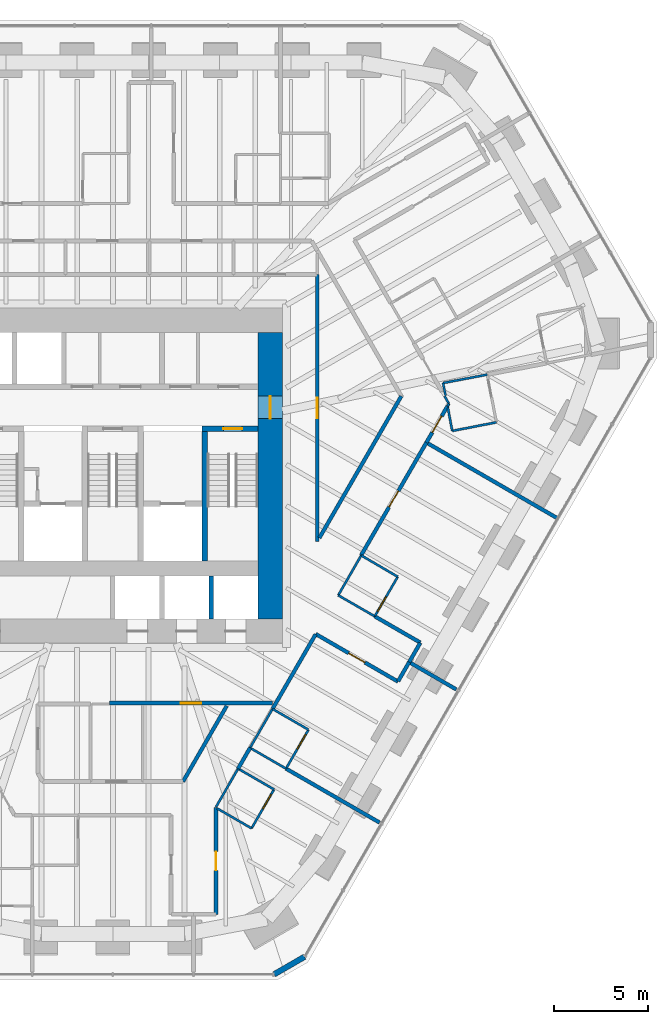
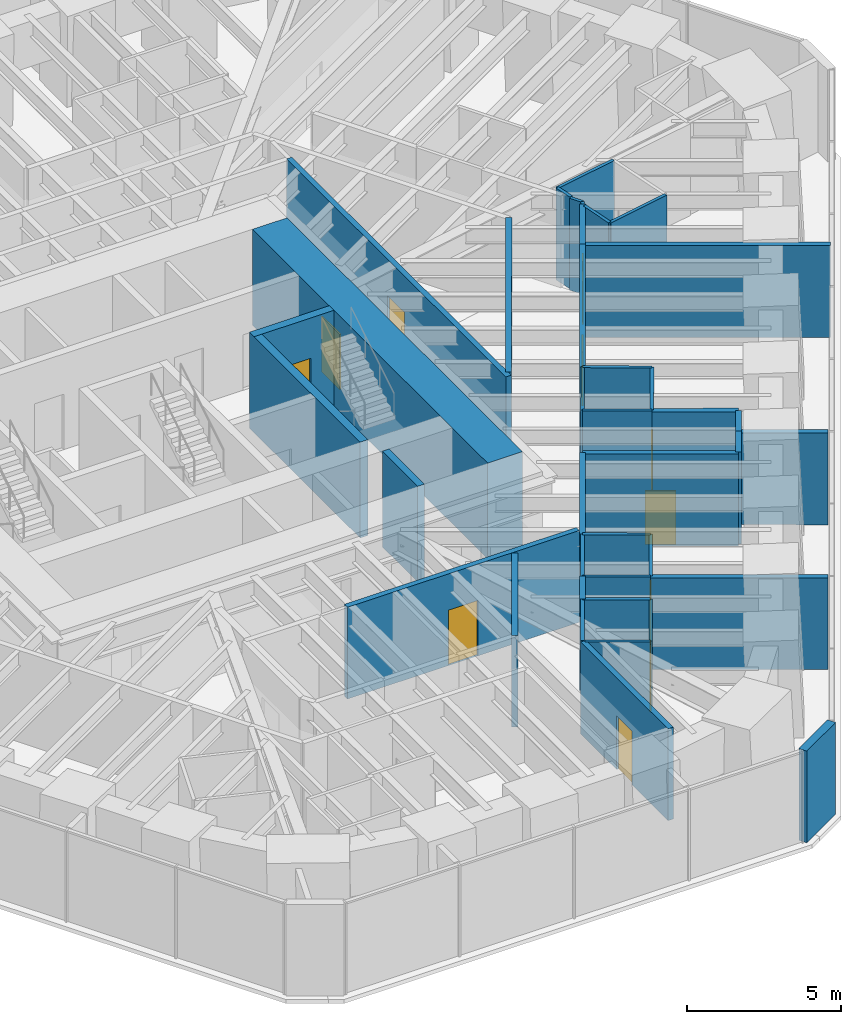
# One storey, part 13 of 17: 39 walls, 11 doors, 11 openings.
"""IFC4 building model written with IfcOpenShell, lengths in metres."""

from ifc_helpers import new_model, si_unit, direction, frame, frame_2d, origin, place, context, subcontext, project, spatial, rectangle, extrude, material, layer, layer_set, type_object, element, fill, save


model = new_model("IFC4")

# Units and contexts
model_context = context("Model", 3, precision=1e-05, world=origin(), true_north=direction((0.0, 1.0)))
body_context = subcontext(model_context, "Body", "Model", "MODEL_VIEW")
ifc_project = project(units=[si_unit("LENGTHUNIT", "METRE"), si_unit("AREAUNIT", "SQUARE_METRE"), si_unit("VOLUMEUNIT", "CUBIC_METRE"), si_unit("PLANEANGLEUNIT", "RADIAN"), si_unit("MASSUNIT", "GRAM", prefix="KILO")], contexts=[model_context])

# Site, building, storey
site_placement = place(None, origin())
site = spatial("IfcSite", under=ifc_project, at=site_placement, CompositionType="ELEMENT")
building_placement = place(site_placement, origin())
building = spatial("IfcBuilding", under=site, at=building_placement, Name="Sandreach Pilgrim Tower", CompositionType="ELEMENT")
storey_placement = place(building_placement, frame((0.0, 0.0, 161.39990234375)))
storey = spatial("IfcBuildingStorey", under=building, at=storey_placement, Name="L40", CompositionType="ELEMENT", Elevation=161.39990234375)

# Walls
ifc_material_1 = material(Name="Moisture-resistant gypsum board on steel studs", Category="steel")
ifc_layer_1 = layer(ifc_material_1, 0.1201171875)
ifc_layer_set_1 = layer_set([ifc_layer_1], Name="Bathroom partition 120")
wall_type_1 = type_object("IfcWallType", Name="Bathroom partition 120", PredefinedType="PARTITIONING", material=ifc_layer_set_1)
wall_1_placement = place(storey_placement, frame((5.510009765625, -19.25, 0.0), z_axis=(0.0, 0.0, 1.0), x_axis=(0.498837591974, 0.866695481028, 0.0)))
element("IfcWall", 1, at=wall_1_placement, inside=storey, type_object=wall_type_1, Name="Bathroom partition L40-111", PredefinedType="PARTITIONING", context=body_context, shape_type="SweptSolid", body=[
    extrude(rectangle(XDim=2.365478515625, YDim=0.1201171875, at=frame_2d((1.1826171875, 0.0))), origin(), (0.0, 0.0, 1.0), 3.64013671875),
])
wall_2_placement = place(storey_placement, frame((5.566162109375, -19.322509765625, 0.0), z_axis=(0.0, 0.0, 1.0), x_axis=(0.865436746432, -0.501018201192, 0.0)))
element("IfcWall", 2, at=wall_2_placement, inside=storey, type_object=wall_type_1, Name="Bathroom partition L40-112", PredefinedType="PARTITIONING", context=body_context, shape_type="SweptSolid", body=[
    extrude(rectangle(XDim=2.13037109375, YDim=0.1201171875, at=frame_2d((1.065185546875, 0.0))), origin(), (0.0, 0.0, 1.0), 3.64013671875),
])
wall_3_placement = place(storey_placement, frame((7.330078125, -16.090087890625, 0.0), z_axis=(0.0, 0.0, 1.0), x_axis=(0.499693115345, 0.866202511239, 0.0)))
element("IfcWall", 3, at=wall_3_placement, inside=storey, type_object=wall_type_1, Name="Bathroom partition L40-120", PredefinedType="PARTITIONING", context=body_context, shape_type="SweptSolid", body=[
    extrude(rectangle(XDim=2.4013671875, YDim=0.1201171875, at=frame_2d((1.20068359375, 0.0))), origin(), (0.0, 0.0, 1.0), 3.64013671875),
])
wall_4_placement = place(storey_placement, frame((7.330078125, -16.090087890625, 0.0), z_axis=(0.0, 0.0, 1.0), x_axis=(0.86575271903, -0.500472006703, 0.0)))
element("IfcWall", 4, at=wall_4_placement, inside=storey, type_object=wall_type_1, Name="Bathroom partition L40-121", PredefinedType="PARTITIONING", context=body_context, shape_type="SweptSolid", body=[
    extrude(rectangle(XDim=2.217529296875, YDim=0.1201171875, at=frame_2d((1.10888671875, 0.0))), origin(), (0.0, 0.0, 1.0), 3.64013671875),
])

# Wall, opening, door
wall_5_placement = place(storey_placement, frame((7.409912109375, -20.389892578125, 0.0), z_axis=(0.0, 0.0, 1.0), x_axis=(0.499737123639, 0.866177122335, 0.0)))
wall_5 = element("IfcWall", 5, at=wall_5_placement, inside=storey, type_object=wall_type_1, Name="Bathroom partition L40-122", PredefinedType="PARTITIONING", context=body_context, shape_type="SweptSolid", body=[
    extrude(rectangle(XDim=2.401123046875, YDim=0.1201171875, at=frame_2d((1.20068359375, 0.0))), origin(), (0.0, 0.0, 1.0), 3.64013671875),
])
opening_1_placement = place(wall_5_placement, frame((1.201416015625, 0.0, 0.0)))
opening_1 = element("IfcOpeningElement", 6, at=opening_1_placement, cuts=wall_5, Name="Opening D09-10B", PredefinedType="OPENING", context=body_context, shape_type="SweptSolid", body=[
    extrude(rectangle(XDim=0.89990234375, YDim=2.030029296875, at=frame_2d((0.449951171875, 1.01513671875))), frame((0.0, 0.06005859375, 0.0), z_axis=(0.0, -1.0, 0.0), x_axis=(1.0, 0.0, 0.0)), (0.0, 0.0, 1.0), 0.1201171875),
])
ifc_material_2 = material(Name="Timber door, steel frame", Category="steel")
door_type_1 = type_object("IfcDoorType", Name="Bathroom door", OperationType="SINGLE_SWING_LEFT", PredefinedType="DOOR", material=ifc_material_2)
door_1_placement = place(opening_1_placement, origin())
door_1 = element("IfcDoor", 7, at=door_1_placement, inside=storey, type_object=door_type_1, Name="Door 4010B", OperationType="SINGLE_SWING_RIGHT", OverallHeight=2.030029296875, OverallWidth=0.89990234375, PredefinedType="DOOR", context=body_context, shape_type="SweptSolid", body=[
    extrude(rectangle(XDim=0.89990234375, YDim=2.030029296875, at=frame_2d((0.449951171875, 1.01513671875))), frame((0.0, 0.02490234375, 0.0), z_axis=(0.0, -1.0, 0.0), x_axis=(1.0, 0.0, 0.0)), (0.0, 0.0, 1.0), 0.050048828125),
])
fill(opening_1, door_1)

# Wall
wall_6_placement = place(storey_placement, frame((8.610107421875, -18.31005859375, 0.0), z_axis=(0.0, 0.0, 1.0), x_axis=(-0.865732595383, 0.500506816428, 0.0)))
element("IfcWall", 8, at=wall_6_placement, inside=storey, type_object=wall_type_1, Name="Bathroom partition L40-125", PredefinedType="PARTITIONING", context=body_context, shape_type="SweptSolid", body=[
    extrude(rectangle(XDim=2.218017578125, YDim=0.1201171875, at=frame_2d((1.10888671875, 0.0))), origin(), (0.0, 0.0, 1.0), 3.64013671875),
])

# Wall, opening, door
wall_7_placement = place(storey_placement, frame((9.25, -17.199951171875, 0.0), z_axis=(0.0, 0.0, 1.0), x_axis=(0.499737123639, 0.866177122335, 0.0)))
wall_7 = element("IfcWall", 9, at=wall_7_placement, inside=storey, type_object=wall_type_1, Name="Bathroom partition L40-133", PredefinedType="PARTITIONING", context=body_context, shape_type="SweptSolid", body=[
    extrude(rectangle(XDim=2.401123046875, YDim=0.1201171875, at=frame_2d((1.20068359375, 0.0))), origin(), (0.0, 0.0, 1.0), 3.64013671875),
])
opening_2_placement = place(wall_7_placement, frame((1.201416015625, 0.0, 0.0)))
opening_2 = element("IfcOpeningElement", 10, at=opening_2_placement, cuts=wall_7, Name="Opening D09-09B", PredefinedType="OPENING", context=body_context, shape_type="SweptSolid", body=[
    extrude(rectangle(XDim=0.89990234375, YDim=2.030029296875, at=frame_2d((0.449951171875, 1.01513671875))), frame((0.0, 0.06005859375, 0.0), z_axis=(0.0, -1.0, 0.0), x_axis=(1.0, 0.0, 0.0)), (0.0, 0.0, 1.0), 0.1201171875),
])
door_2_placement = place(opening_2_placement, origin())
door_2 = element("IfcDoor", 11, at=door_2_placement, inside=storey, type_object=door_type_1, Name="Door 4009B", OperationType="SINGLE_SWING_RIGHT", OverallHeight=2.030029296875, OverallWidth=0.89990234375, PredefinedType="DOOR", context=body_context, shape_type="SweptSolid", body=[
    extrude(rectangle(XDim=0.89990234375, YDim=2.030029296875, at=frame_2d((0.449951171875, 1.01513671875))), frame((0.0, 0.02490234375, 0.0), z_axis=(0.0, -1.0, 0.0), x_axis=(1.0, 0.0, 0.0)), (0.0, 0.0, 1.0), 0.050048828125),
])
fill(opening_2, door_2)

# Walls
wall_8_placement = place(storey_placement, frame((10.449951171875, -15.1201171875, 0.0), z_axis=(0.0, 0.0, 1.0), x_axis=(-0.865705017107, 0.500554515868, 0.0)))
element("IfcWall", 12, at=wall_8_placement, inside=storey, type_object=wall_type_1, Name="Bathroom partition L40-135", PredefinedType="PARTITIONING", context=body_context, shape_type="SweptSolid", body=[
    extrude(rectangle(XDim=2.2177734375, YDim=0.1201171875, at=frame_2d((1.10888671875, 0.0))), origin(), (0.0, 0.0, 1.0), 3.64013671875),
])
wall_9_placement = place(storey_placement, frame((12.0400390625, -7.93994140625, 0.0), z_axis=(0.0, 0.0, 1.0), x_axis=(0.866366273901, -0.499409130319, 0.0)))
element("IfcWall", 13, at=wall_9_placement, inside=storey, type_object=wall_type_1, Name="Bathroom partition L40-145", PredefinedType="PARTITIONING", context=body_context, shape_type="SweptSolid", body=[
    extrude(rectangle(XDim=2.248779296875, YDim=0.1201171875, at=frame_2d((1.12451171875, 0.0))), origin(), (0.0, 0.0, 1.0), 3.64013671875),
])
wall_10_placement = place(storey_placement, frame((13.27001953125, -5.81005859375, 0.0), z_axis=(0.0, 0.0, 1.0), x_axis=(-0.500089055364, -0.86597398154, 0.0)))
element("IfcWall", 14, at=wall_10_placement, inside=storey, type_object=wall_type_1, Name="Bathroom partition L40-149", PredefinedType="PARTITIONING", context=body_context, shape_type="SweptSolid", body=[
    extrude(rectangle(XDim=2.45947265625, YDim=0.1201171875, at=frame_2d((1.229736328125, 0.0))), origin(), (0.0, 0.0, 1.0), 3.64013671875),
])

# Wall, opening, door
wall_11_placement = place(storey_placement, frame((13.989990234375, -9.06005859375, 0.0), z_axis=(0.0, 0.0, 1.0), x_axis=(0.503591322258, 0.863942000453, 0.0)))
wall_11 = element("IfcWall", 15, at=wall_11_placement, inside=storey, type_object=wall_type_1, Name="Bathroom partition L40-151", PredefinedType="PARTITIONING", context=body_context, shape_type="SweptSolid", body=[
    extrude(rectangle(XDim=2.4423828125, YDim=0.1201171875, at=frame_2d((1.22119140625, 0.0))), origin(), (0.0, 0.0, 1.0), 3.64013671875),
])
opening_3_placement = place(wall_11_placement, frame((0.300048828125, 0.0, 0.0)))
opening_3 = element("IfcOpeningElement", 16, at=opening_3_placement, cuts=wall_11, Name="Opening D09-08B", PredefinedType="OPENING", context=body_context, shape_type="SweptSolid", body=[
    extrude(rectangle(XDim=0.89990234375, YDim=2.030029296875, at=frame_2d((0.449951171875, 1.01513671875))), frame((0.0, 0.06005859375, 0.0), z_axis=(0.0, -1.0, 0.0), x_axis=(1.0, 0.0, 0.0)), (0.0, 0.0, 1.0), 0.1201171875),
])
door_3_placement = place(opening_3_placement, origin())
door_3 = element("IfcDoor", 17, at=door_3_placement, inside=storey, type_object=door_type_1, Name="Door 4008B", OperationType="SINGLE_SWING_LEFT", OverallHeight=2.030029296875, OverallWidth=0.89990234375, PredefinedType="DOOR", context=body_context, shape_type="SweptSolid", body=[
    extrude(rectangle(XDim=0.89990234375, YDim=2.030029296875, at=frame_2d((0.449951171875, 1.01513671875))), frame((0.0, 0.02490234375, 0.0), z_axis=(0.0, -1.0, 0.0), x_axis=(1.0, 0.0, 0.0)), (0.0, 0.0, 1.0), 0.050048828125),
])
fill(opening_3, door_3)

# Walls
wall_12_placement = place(storey_placement, frame((15.219970703125, -6.949951171875, 0.0), z_axis=(0.0, 0.0, 1.0), x_axis=(-0.863312009027, 0.50467056093, 0.0)))
element("IfcWall", 18, at=wall_12_placement, inside=storey, type_object=wall_type_1, Name="Bathroom partition L40-153", PredefinedType="PARTITIONING", context=body_context, shape_type="SweptSolid", body=[
    extrude(rectangle(XDim=2.2587890625, YDim=0.1201171875, at=frame_2d((1.12939453125, 0.0))), origin(), (0.0, 0.0, 1.0), 3.64013671875),
])
wall_13_placement = place(storey_placement, frame((17.639892578125, 3.39990234375, 0.0), z_axis=(0.0, 0.0, 1.0), x_axis=(0.982288725898, 0.187373581313, 0.0)))
element("IfcWall", 19, at=wall_13_placement, inside=storey, type_object=wall_type_1, Name="Bathroom partition L40-161", PredefinedType="PARTITIONING", context=body_context, shape_type="SweptSolid", body=[
    extrude(rectangle(XDim=2.402587890625, YDim=0.1201171875, at=frame_2d((1.201171875, 0.0))), origin(), (0.0, 0.0, 1.0), 3.64013671875),
])
wall_14_placement = place(storey_placement, frame((17.719970703125, 2.699951171875, 0.0), z_axis=(0.0, 0.0, 1.0), x_axis=(0.498530782172, -0.866871997025, 0.0)))
element("IfcWall", 20, at=wall_14_placement, inside=storey, type_object=wall_type_1, Name="Bathroom partition L40-162", PredefinedType="PARTITIONING", context=body_context, shape_type="SweptSolid", body=[
    extrude(rectangle(XDim=0.46142578125, YDim=0.1201171875, at=frame_2d((0.230712890625, 0.0))), origin(), (0.0, 0.0, 1.0), 3.64013671875),
])
wall_15_placement = place(storey_placement, frame((17.773681640625, 2.7314453125, 0.0), z_axis=(0.0, 0.0, 1.0), x_axis=(-0.196253874553, 0.980553117747, 0.0)))
element("IfcWall", 21, at=wall_15_placement, inside=storey, type_object=wall_type_1, Name="Bathroom partition L40-163", PredefinedType="PARTITIONING", context=body_context, shape_type="SweptSolid", body=[
    extrude(rectangle(XDim=0.681640625, YDim=0.1201171875, at=frame_2d((0.3408203125, 0.0))), origin(), (0.0, 0.0, 1.0), 3.64013671875),
])
wall_16_placement = place(storey_placement, frame((17.8798828125, 2.169921875, 0.0), z_axis=(0.0, 0.0, 1.0), x_axis=(0.474099823035, 0.880471099922, 0.0)))
element("IfcWall", 22, at=wall_16_placement, inside=storey, type_object=wall_type_1, Name="Bathroom partition L40-164", PredefinedType="PARTITIONING", context=body_context, shape_type="SweptSolid", body=[
    extrude(rectangle(XDim=0.147705078125, YDim=0.1201171875, at=frame_2d((0.07373046875, 0.0))), origin(), (0.0, 0.0, 1.0), 3.64013671875),
])
wall_17_placement = place(storey_placement, frame((17.896728515625, 2.08154296875, 0.0), z_axis=(0.0, 0.0, 1.0), x_axis=(0.184580266957, -0.982817442382, 0.0)))
element("IfcWall", 23, at=wall_17_placement, inside=storey, type_object=wall_type_1, Name="Bathroom partition L40-165", PredefinedType="PARTITIONING", context=body_context, shape_type="SweptSolid", body=[
    extrude(rectangle(XDim=1.26318359375, YDim=0.1201171875, at=frame_2d((0.631591796875, 0.0))), origin(), (0.0, 0.0, 1.0), 3.64013671875),
])
wall_18_placement = place(storey_placement, frame((18.1298828125, 0.840087890625, 0.0), z_axis=(0.0, 0.0, 1.0), x_axis=(0.981533392326, 0.191290877329, 0.0)))
element("IfcWall", 24, at=wall_18_placement, inside=storey, type_object=wall_type_1, Name="Bathroom partition L40-166", PredefinedType="PARTITIONING", context=body_context, shape_type="SweptSolid", body=[
    extrude(rectangle(XDim=2.404541015625, YDim=0.1201171875, at=frame_2d((1.2021484375, 0.0))), origin(), (0.0, 0.0, 1.0), 3.64013671875),
])
ifc_material_3 = material(Name="Concrete 10000 psi", Category="concrete")
ifc_layer_2 = layer(ifc_material_3, 0.300048828125)
ifc_layer_set_2 = layer_set([ifc_layer_2], Name="Core inner wall 300")
wall_type_2 = type_object("IfcWallType", Name="Core inner wall 300", PredefinedType="SHEAR", material=ifc_layer_set_2)
wall_19_placement = place(storey_placement, frame((4.89990234375, -6.10009765625, 0.0), z_axis=(0.0, 0.0, 1.0), x_axis=(0.0, 1.0, 0.0)))
element("IfcWall", 25, at=wall_19_placement, inside=storey, type_object=wall_type_2, Name="Core wall I3 L40", PredefinedType="SHEAR", context=body_context, shape_type="SweptSolid", body=[
    extrude(rectangle(XDim=7.2001953125, YDim=0.300048828125, at=frame_2d((3.60009765625, 0.0))), origin(), (0.0, 0.0, 1.0), 3.800048828125),
])

# Wall, opening, door
wall_20_placement = place(storey_placement, frame((4.75, 0.949951171875, 0.0), z_axis=(0.0, 0.0, 1.0), x_axis=(1.0, 0.0, 0.0)))
wall_20 = element("IfcWall", 26, at=wall_20_placement, inside=storey, type_object=wall_type_2, Name="Core wall SN2 L40", PredefinedType="SHEAR", context=body_context, shape_type="SweptSolid", body=[
    extrude(rectangle(XDim=3.0, YDim=0.300048828125, at=frame_2d((1.5, 0.0))), origin(), (0.0, 0.0, 1.0), 3.800048828125),
])
opening_4_placement = place(wall_20_placement, frame((1.14990234375, 0.0, 0.0)))
opening_4 = element("IfcOpeningElement", 27, at=opening_4_placement, cuts=wall_20, Name="Opening D10S-ST2", PredefinedType="OPENING", context=body_context, shape_type="SweptSolid", body=[
    extrude(rectangle(XDim=1.0, YDim=2.199951171875, at=frame_2d((0.5, 1.10009765625))), frame((0.0, 0.14990234375, 0.0), z_axis=(0.0, -1.0, 0.0), x_axis=(1.0, 0.0, 0.0)), (0.0, 0.0, 1.0), 0.300048828125),
])
ifc_material_4 = material(Name="Steel door and frame", Category="steel")
door_type_2 = type_object("IfcDoorType", Name="Stair door", OperationType="SINGLE_SWING_LEFT", PredefinedType="DOOR", material=ifc_material_4)
door_4_placement = place(opening_4_placement, origin())
door_4 = element("IfcDoor", 28, at=door_4_placement, inside=storey, type_object=door_type_2, Name="Stair door ST2 L40", OperationType="SINGLE_SWING_RIGHT", OverallHeight=2.199951171875, OverallWidth=1.0, PredefinedType="DOOR", context=body_context, shape_type="SweptSolid", body=[
    extrude(rectangle(XDim=1.0, YDim=2.199951171875, at=frame_2d((0.5, 1.10009765625))), frame((0.0, 0.02490234375, 0.0), z_axis=(0.0, -1.0, 0.0), x_axis=(1.0, 0.0, 0.0)), (0.0, 0.0, 1.0), 0.050048828125),
])
fill(opening_4, door_4)

ifc_material_5 = material(Name="Concrete 10000 psi", Category="concrete")
ifc_layer_3 = layer(ifc_material_5, 1.300048828125)
ifc_layer_set_3 = layer_set([ifc_layer_3], Name="Core wall 1300")
wall_type_3 = type_object("IfcWallType", Name="Core wall 1300", PredefinedType="SHEAR", material=ifc_layer_set_3)
wall_21_placement = place(storey_placement, frame((8.39990234375, -9.199951171875, 0.0), z_axis=(0.0, 0.0, 1.0), x_axis=(0.0, 1.0, 0.0)))
wall_21 = element("IfcWall", 29, at=wall_21_placement, inside=storey, type_object=wall_type_3, Name="Core wall E L40", PredefinedType="SHEAR", context=body_context, shape_type="SweptSolid", body=[
    extrude(rectangle(XDim=15.300048828125, YDim=1.300048828125, at=frame_2d((7.64990234375, 0.0))), origin(), (0.0, 0.0, 1.0), 3.800048828125),
])
opening_5_placement = place(wall_21_placement, frame((10.699951171875, 0.0, 0.0)))
opening_5 = element("IfcOpeningElement", 30, at=opening_5_placement, cuts=wall_21, Name="Opening D12F-E", PredefinedType="OPENING", context=body_context, shape_type="SweptSolid", body=[
    extrude(rectangle(XDim=1.199951171875, YDim=2.199951171875, at=frame_2d((0.60009765625, 1.10009765625))), frame((0.0, 0.64990234375, 0.0), z_axis=(0.0, -1.0, 0.0), x_axis=(1.0, 0.0, 0.0)), (0.0, 0.0, 1.0), 1.300048828125),
])
ifc_material_6 = material(Name="Steel door and frame", Category="steel")
door_type_3 = type_object("IfcDoorType", Name="Fire lobby door", OperationType="SINGLE_SWING_LEFT", PredefinedType="DOOR", material=ifc_material_6)
door_5_placement = place(opening_5_placement, origin())
door_5 = element("IfcDoor", 31, at=door_5_placement, inside=storey, type_object=door_type_3, Name="Fire service lobby door E L40", OperationType="SINGLE_SWING_RIGHT", OverallHeight=2.199951171875, OverallWidth=1.199951171875, PredefinedType="DOOR", context=body_context, shape_type="SweptSolid", body=[
    extrude(rectangle(XDim=1.199951171875, YDim=2.199951171875, at=frame_2d((0.60009765625, 1.10009765625))), frame((0.0, 0.02490234375, 0.0), z_axis=(0.0, -1.0, 0.0), x_axis=(1.0, 0.0, 0.0)), (0.0, 0.0, 1.0), 0.050048828125),
])
fill(opening_5, door_5)

ifc_material_7 = material(Name="Gypsum board on steel studs, two layers each side", Category="steel")
ifc_layer_4 = layer(ifc_material_7, 0.199951171875)
ifc_layer_set_4 = layer_set([ifc_layer_4], Name="Corridor wall 200")
wall_type_4 = type_object("IfcWallType", Name="Corridor wall 200", PredefinedType="PARTITIONING", material=ifc_layer_set_4)
wall_22_placement = place(storey_placement, frame((5.510009765625, -24.97998046875, 0.0), z_axis=(0.0, 0.0, 1.0), x_axis=(0.0, 1.0, 0.0)))
wall_22 = element("IfcWall", 32, at=wall_22_placement, inside=storey, type_object=wall_type_4, Name="Corridor wall L40-110", PredefinedType="PARTITIONING", context=body_context, shape_type="SweptSolid", body=[
    extrude(rectangle(XDim=5.68994140625, YDim=0.199951171875, at=frame_2d((2.844970703125, 0.0))), origin(), (0.0, 0.0, 1.0), 3.64013671875),
])
opening_6_placement = place(wall_22_placement, frame((2.344970703125, 0.0, 0.0)))
opening_6 = element("IfcOpeningElement", 33, at=opening_6_placement, cuts=wall_22, Name="Opening D10-10", PredefinedType="OPENING", context=body_context, shape_type="SweptSolid", body=[
    extrude(rectangle(XDim=1.0, YDim=2.1298828125, at=frame_2d((0.5, 1.06494140625))), frame((0.0, 0.10009765625, 0.0), z_axis=(0.0, -1.0, 0.0), x_axis=(1.0, 0.0, 0.0)), (0.0, 0.0, 1.0), 0.199951171875),
])
ifc_material_8 = material(Name="Steel door and frame", Category="steel")
door_type_4 = type_object("IfcDoorType", Name="Guest room entry door", OperationType="SINGLE_SWING_LEFT", PredefinedType="DOOR", material=ifc_material_8)
door_6_placement = place(opening_6_placement, origin())
door_6 = element("IfcDoor", 34, at=door_6_placement, inside=storey, type_object=door_type_4, Name="Door 4010", OperationType="SINGLE_SWING_LEFT", OverallHeight=2.1298828125, OverallWidth=1.0, PredefinedType="DOOR", context=body_context, shape_type="SweptSolid", body=[
    extrude(rectangle(XDim=1.0, YDim=2.1298828125, at=frame_2d((0.5, 1.06494140625))), frame((0.0, 0.02490234375, 0.0), z_axis=(0.0, -1.0, 0.0), x_axis=(1.0, 0.0, 0.0)), (0.0, 0.0, 1.0), 0.050048828125),
])
fill(opening_6, door_6)

# Walls
wall_23_placement = place(storey_placement, frame((6.08251953125, -13.849609375, 0.0), z_axis=(0.0, 0.0, 1.0), x_axis=(-0.499977643516, -0.866038310922, 0.0)))
element("IfcWall", 35, at=wall_23_placement, inside=storey, type_object=wall_type_4, Name="Corridor wall L40-113", PredefinedType="PARTITIONING", context=body_context, shape_type="SweptSolid", body=[
    extrude(rectangle(XDim=4.665283203125, YDim=0.199951171875, at=frame_2d((2.33251953125, 0.0))), origin(), (0.0, 0.0, 1.0), 3.64013671875),
])
wall_24_placement = place(storey_placement, frame((6.68994140625, -17.199951171875, 0.0), z_axis=(0.0, 0.0, 1.0), x_axis=(0.499623473928, 0.866242682105, 0.0)))
element("IfcWall", 36, at=wall_24_placement, inside=storey, type_object=wall_type_4, Name="Corridor wall L40-119", PredefinedType="PARTITIONING", context=body_context, shape_type="SweptSolid", body=[
    extrude(rectangle(XDim=1.28125, YDim=0.199951171875, at=frame_2d((0.640625, 0.0))), origin(), (0.0, 0.0, 1.0), 3.64013671875),
])
wall_25_placement = place(storey_placement, frame((8.530029296875, -14.010009765625, 0.0), z_axis=(0.0, 0.0, 1.0), x_axis=(0.500091179446, 0.865972754907, 0.0)))
element("IfcWall", 37, at=wall_25_placement, inside=storey, type_object=wall_type_4, Name="Corridor wall L40-123", PredefinedType="PARTITIONING", context=body_context, shape_type="SweptSolid", body=[
    extrude(rectangle(XDim=4.604248046875, YDim=0.199951171875, at=frame_2d((2.30224609375, 0.0))), origin(), (0.0, 0.0, 1.0), 3.64013671875),
])

# Wall, opening, door
wall_26_placement = place(storey_placement, frame((8.53369140625, -13.699951171875, 0.0), z_axis=(0.0, 0.0, 1.0), x_axis=(-1.0, 0.0, 0.0)))
wall_26 = element("IfcWall", 38, at=wall_26_placement, inside=storey, type_object=wall_type_4, Name="Corridor wall L40-124", PredefinedType="PARTITIONING", context=body_context, shape_type="SweptSolid", body=[
    extrude(rectangle(XDim=8.70361328125, YDim=0.199951171875, at=frame_2d((4.351806640625, 0.0))), origin(), (0.0, 0.0, 1.0), 3.64013671875),
])
opening_7_placement = place(wall_26_placement, frame((3.8017578125, 0.0, 0.0)))
opening_7 = element("IfcOpeningElement", 39, at=opening_7_placement, cuts=wall_26, Name="Opening D11H-S4", PredefinedType="OPENING", context=body_context, shape_type="SweptSolid", body=[
    extrude(rectangle(XDim=1.10009765625, YDim=2.199951171875, at=frame_2d((0.550048828125, 1.10009765625))), frame((0.0, 0.10009765625, 0.0), z_axis=(0.0, -1.0, 0.0), x_axis=(1.0, 0.0, 0.0)), (0.0, 0.0, 1.0), 0.199951171875),
])
ifc_material_9 = material(Name="Steel door and frame", Category="steel")
door_type_5 = type_object("IfcDoorType", Name="Back of house door", OperationType="SINGLE_SWING_LEFT", PredefinedType="DOOR", material=ifc_material_9)
door_7_placement = place(opening_7_placement, origin())
door_7 = element("IfcDoor", 40, at=door_7_placement, inside=storey, type_object=door_type_5, Name="Door 40S4", OperationType="SINGLE_SWING_LEFT", OverallHeight=2.199951171875, OverallWidth=1.10009765625, PredefinedType="DOOR", context=body_context, shape_type="SweptSolid", body=[
    extrude(rectangle(XDim=1.10009765625, YDim=2.199951171875, at=frame_2d((0.550048828125, 1.10009765625))), frame((0.0, 0.02490234375, 0.0), z_axis=(0.0, -1.0, 0.0), x_axis=(1.0, 0.0, 0.0)), (0.0, 0.0, 1.0), 0.050048828125),
])
fill(opening_7, door_7)

wall_27_placement = place(storey_placement, frame((10.840087890625, -10.010009765625, 0.0), z_axis=(0.0, 0.0, 1.0), x_axis=(0.865552592802, -0.500818039904, 0.0)))
wall_27 = element("IfcWall", 41, at=wall_27_placement, inside=storey, type_object=wall_type_4, Name="Corridor wall L40-137", PredefinedType="PARTITIONING", context=body_context, shape_type="SweptSolid", body=[
    extrude(rectangle(XDim=5.07177734375, YDim=0.199951171875, at=frame_2d((2.535888671875, 0.0))), origin(), (0.0, 0.0, 1.0), 3.64013671875),
])
opening_8_placement = place(wall_27_placement, frame((2.035888671875, 0.0, 0.0)))
opening_8 = element("IfcOpeningElement", 42, at=opening_8_placement, cuts=wall_27, Name="Opening D10-09", PredefinedType="OPENING", context=body_context, shape_type="SweptSolid", body=[
    extrude(rectangle(XDim=1.0, YDim=2.1298828125, at=frame_2d((0.5, 1.06494140625))), frame((0.0, 0.10009765625, 0.0), z_axis=(0.0, -1.0, 0.0), x_axis=(1.0, 0.0, 0.0)), (0.0, 0.0, 1.0), 0.199951171875),
])
door_8_placement = place(opening_8_placement, origin())
door_8 = element("IfcDoor", 43, at=door_8_placement, inside=storey, type_object=door_type_4, Name="Door 4009", OperationType="SINGLE_SWING_LEFT", OverallHeight=2.1298828125, OverallWidth=1.0, PredefinedType="DOOR", context=body_context, shape_type="SweptSolid", body=[
    extrude(rectangle(XDim=1.0, YDim=2.1298828125, at=frame_2d((0.5, 1.06494140625))), frame((0.0, 0.02490234375, 0.0), z_axis=(0.0, -1.0, 0.0), x_axis=(1.0, 0.0, 0.0)), (0.0, 0.0, 1.0), 0.050048828125),
])
fill(opening_8, door_8)

wall_28_placement = place(storey_placement, frame((10.919921875, -5.070068359375, 0.0), z_axis=(0.0, 0.0, 1.0), x_axis=(0.0, 1.0, 0.0)))
wall_28 = element("IfcWall", 44, at=wall_28_placement, inside=storey, type_object=wall_type_4, Name="Corridor wall L40-139", PredefinedType="PARTITIONING", context=body_context, shape_type="SweptSolid", body=[
    extrude(rectangle(XDim=14.27001953125, YDim=0.199951171875, at=frame_2d((7.135009765625, 0.0))), origin(), (0.0, 0.0, 1.0), 3.64013671875),
])
opening_9_placement = place(wall_28_placement, frame((6.5849609375, 0.0, 0.0)))
opening_9 = element("IfcOpeningElement", 45, at=opening_9_placement, cuts=wall_28, Name="Opening D11H-M07", PredefinedType="OPENING", context=body_context, shape_type="SweptSolid", body=[
    extrude(rectangle(XDim=1.10009765625, YDim=2.199951171875, at=frame_2d((0.550048828125, 1.10009765625))), frame((0.0, 0.10009765625, 0.0), z_axis=(0.0, -1.0, 0.0), x_axis=(1.0, 0.0, 0.0)), (0.0, 0.0, 1.0), 0.199951171875),
])
door_9_placement = place(opening_9_placement, origin())
door_9 = element("IfcDoor", 46, at=door_9_placement, inside=storey, type_object=door_type_5, Name="Door 40M07", OperationType="SINGLE_SWING_LEFT", OverallHeight=2.199951171875, OverallWidth=1.10009765625, PredefinedType="DOOR", context=body_context, shape_type="SweptSolid", body=[
    extrude(rectangle(XDim=1.10009765625, YDim=2.199951171875, at=frame_2d((0.550048828125, 1.10009765625))), frame((0.0, 0.02490234375, 0.0), z_axis=(0.0, -1.0, 0.0), x_axis=(1.0, 0.0, 0.0)), (0.0, 0.0, 1.0), 0.050048828125),
])
fill(opening_9, door_9)

wall_29_placement = place(storey_placement, frame((13.260009765625, -5.81005859375, 0.0), z_axis=(0.0, 0.0, 1.0), x_axis=(0.500920236046, 0.865493452962, 0.0)))
wall_29 = element("IfcWall", 47, at=wall_29_placement, inside=storey, type_object=wall_type_4, Name="Corridor wall L40-148", PredefinedType="PARTITIONING", context=body_context, shape_type="SweptSolid", body=[
    extrude(rectangle(XDim=6.967041015625, YDim=0.199951171875, at=frame_2d((3.4833984375, 0.0))), origin(), (0.0, 0.0, 1.0), 3.64013671875),
])
opening_10_placement = place(wall_29_placement, frame((2.983642578125, 0.0, 0.0)))
opening_10 = element("IfcOpeningElement", 48, at=opening_10_placement, cuts=wall_29, Name="Opening D10-08", PredefinedType="OPENING", context=body_context, shape_type="SweptSolid", body=[
    extrude(rectangle(XDim=1.0, YDim=2.1298828125, at=frame_2d((0.5, 1.06494140625))), frame((0.0, 0.10009765625, 0.0), z_axis=(0.0, -1.0, 0.0), x_axis=(1.0, 0.0, 0.0)), (0.0, 0.0, 1.0), 0.199951171875),
])
door_10_placement = place(opening_10_placement, origin())
door_10 = element("IfcDoor", 49, at=door_10_placement, inside=storey, type_object=door_type_4, Name="Door 4008", OperationType="SINGLE_SWING_LEFT", OverallHeight=2.1298828125, OverallWidth=1.0, PredefinedType="DOOR", context=body_context, shape_type="SweptSolid", body=[
    extrude(rectangle(XDim=1.0, YDim=2.1298828125, at=frame_2d((0.5, 1.06494140625))), frame((0.0, 0.02490234375, 0.0), z_axis=(0.0, -1.0, 0.0), x_axis=(1.0, 0.0, 0.0)), (0.0, 0.0, 1.0), 0.050048828125),
])
fill(opening_10, door_10)

# Walls
wall_30_placement = place(storey_placement, frame((13.98828125, -9.06298828125, 0.0), z_axis=(0.0, 0.0, 1.0), x_axis=(0.86644076383, -0.499279884207, 0.0)))
element("IfcWall", 50, at=wall_30_placement, inside=storey, type_object=wall_type_4, Name="Corridor wall L40-150", PredefinedType="PARTITIONING", context=body_context, shape_type="SweptSolid", body=[
    extrude(rectangle(XDim=2.818115234375, YDim=0.199951171875, at=frame_2d((1.4091796875, 0.0))), origin(), (0.0, 0.0, 1.0), 3.64013671875),
])
wall_31_placement = place(storey_placement, frame((15.237548828125, -12.537109375, 0.0), z_axis=(0.0, 0.0, 1.0), x_axis=(0.499704629046, 0.866195869137, 0.0)))
element("IfcWall", 51, at=wall_31_placement, inside=storey, type_object=wall_type_4, Name="Corridor wall L40-154", PredefinedType="PARTITIONING", context=body_context, shape_type="SweptSolid", body=[
    extrude(rectangle(XDim=1.185791015625, YDim=0.199951171875, at=frame_2d((0.5927734375, 0.0))), origin(), (0.0, 0.0, 1.0), 3.64013671875),
])
wall_32_placement = place(storey_placement, frame((15.409912109375, 2.699951171875, 0.0), z_axis=(0.0, 0.0, 1.0), x_axis=(-0.50033800158, -0.865830170516, 0.0)))
element("IfcWall", 52, at=wall_32_placement, inside=storey, type_object=wall_type_4, Name="Corridor wall L40-155", PredefinedType="PARTITIONING", context=body_context, shape_type="SweptSolid", body=[
    extrude(rectangle(XDim=8.75390625, YDim=0.199951171875, at=frame_2d((4.376953125, 0.0))), origin(), (0.0, 0.0, 1.0), 3.64013671875),
])
wall_33_placement = place(storey_placement, frame((15.830078125, -11.510009765625, 0.0), z_axis=(0.0, 0.0, 1.0), x_axis=(0.499704629046, 0.866195869137, 0.0)))
element("IfcWall", 53, at=wall_33_placement, inside=storey, type_object=wall_type_4, Name="Corridor wall L40-156", PredefinedType="PARTITIONING", context=body_context, shape_type="SweptSolid", body=[
    extrude(rectangle(XDim=1.185791015625, YDim=0.199951171875, at=frame_2d((0.5927734375, 0.0))), origin(), (0.0, 0.0, 1.0), 3.64013671875),
])

# Wall, opening, door
wall_34_placement = place(storey_placement, frame((16.75, 0.219970703125, 0.0), z_axis=(0.0, 0.0, 1.0), x_axis=(0.501437604422, 0.865193810006, 0.0)))
wall_34 = element("IfcWall", 54, at=wall_34_placement, inside=storey, type_object=wall_type_4, Name="Corridor wall L40-159", PredefinedType="PARTITIONING", context=body_context, shape_type="SweptSolid", body=[
    extrude(rectangle(XDim=2.253662109375, YDim=0.199951171875, at=frame_2d((1.126953125, 0.0))), origin(), (0.0, 0.0, 1.0), 3.64013671875),
])
opening_11_placement = place(wall_34_placement, frame((0.626953125, 0.0, 0.0)))
opening_11 = element("IfcOpeningElement", 55, at=opening_11_placement, cuts=wall_34, Name="Opening D10-07", PredefinedType="OPENING", context=body_context, shape_type="SweptSolid", body=[
    extrude(rectangle(XDim=1.0, YDim=2.1298828125, at=frame_2d((0.5, 1.06494140625))), frame((0.0, 0.10009765625, 0.0), z_axis=(0.0, -1.0, 0.0), x_axis=(1.0, 0.0, 0.0)), (0.0, 0.0, 1.0), 0.199951171875),
])
door_11_placement = place(opening_11_placement, origin())
door_11 = element("IfcDoor", 56, at=door_11_placement, inside=storey, type_object=door_type_4, Name="Door 4007", OperationType="SINGLE_SWING_LEFT", OverallHeight=2.1298828125, OverallWidth=1.0, PredefinedType="DOOR", context=body_context, shape_type="SweptSolid", body=[
    extrude(rectangle(XDim=1.0, YDim=2.1298828125, at=frame_2d((0.5, 1.06494140625))), frame((0.0, 0.02490234375, 0.0), z_axis=(0.0, -1.0, 0.0), x_axis=(1.0, 0.0, 0.0)), (0.0, 0.0, 1.0), 0.050048828125),
])
fill(opening_11, door_11)

# Walls
ifc_material_10 = material(Name="Double steel stud acoustic wall, gypsum board", Category="steel")
ifc_layer_5 = layer(ifc_material_10, 0.199951171875)
ifc_layer_set_5 = layer_set([ifc_layer_5], Name="Party wall 200")
wall_type_5 = type_object("IfcWallType", Name="Party wall 200", PredefinedType="PARTITIONING", material=ifc_layer_set_5)
wall_35_placement = place(storey_placement, frame((9.25, -17.199951171875, 0.0), z_axis=(0.0, 0.0, 1.0), x_axis=(0.866353281607, -0.499431668448, 0.0)))
element("IfcWall", 57, at=wall_35_placement, inside=storey, type_object=wall_type_5, Name="Party wall L40-134", PredefinedType="PARTITIONING", context=body_context, shape_type="SweptSolid", body=[
    extrude(rectangle(XDim=5.766845703125, YDim=0.199951171875, at=frame_2d((2.88330078125, 0.0))), origin(), (0.0, 0.0, 1.0), 3.64013671875),
])
wall_36_placement = place(storey_placement, frame((18.34619140625, -12.9697265625, 0.0), z_axis=(0.0, 0.0, 1.0), x_axis=(-0.864985051753, 0.501797628775, 0.0)))
element("IfcWall", 58, at=wall_36_placement, inside=storey, type_object=wall_type_5, Name="Party wall L40-167", PredefinedType="PARTITIONING", context=body_context, shape_type="SweptSolid", body=[
    extrude(rectangle(XDim=2.893798828125, YDim=0.199951171875, at=frame_2d((1.44677734375, 0.0))), origin(), (0.0, 0.0, 1.0), 3.64013671875),
])
wall_37_placement = place(storey_placement, frame((23.734130859375, -3.81494140625, 0.0), z_axis=(0.0, 0.0, 1.0), x_axis=(-0.865889592382, 0.500235158505, 0.0)))
element("IfcWall", 59, at=wall_37_placement, inside=storey, type_object=wall_type_5, Name="Party wall L40-178", PredefinedType="PARTITIONING", context=body_context, shape_type="SweptSolid", body=[
    extrude(rectangle(XDim=8.05078125, YDim=0.199951171875, at=frame_2d((4.025390625, 0.0))), origin(), (0.0, 0.0, 1.0), 3.64013671875),
])
ifc_material_11 = material(Name="Gypsum shaft wall on steel studs, two layers of shaft liner board", Category="steel")
ifc_layer_6 = layer(ifc_material_11, 0.25)
ifc_layer_set_6 = layer_set([ifc_layer_6], Name="Shaft partition 250")
wall_type_6 = type_object("IfcWallType", Name="Shaft partition 250", PredefinedType="PARTITIONING", material=ifc_layer_set_6)
wall_38_placement = place(storey_placement, frame((5.25, -9.199951171875, 0.0), z_axis=(0.0, 0.0, 1.0), x_axis=(0.0, 1.0, 0.0)))
element("IfcWall", 60, at=wall_38_placement, inside=storey, type_object=wall_type_6, Name="Shaft partition XS4 L40", PredefinedType="PARTITIONING", context=body_context, shape_type="SweptSolid", body=[
    extrude(rectangle(XDim=2.300048828125, YDim=0.25, at=frame_2d((1.14990234375, 0.0))), origin(), (0.0, 0.0, 1.0), 3.800048828125),
])
ifc_material_12 = material(Name="Terracotta rainscreen on concrete", Category="masonry")
ifc_layer_7 = layer(ifc_material_12, 0.300048828125)
ifc_layer_set_7 = layer_set([ifc_layer_7], Name="Terracotta chamfer pier")
wall_type_7 = type_object("IfcWallType", Name="Terracotta chamfer pier", PredefinedType="SOLIDWALL", material=ifc_layer_set_7)
wall_39_placement = place(storey_placement, frame((10.239501953125, -27.252197265625, 0.0), z_axis=(0.0, 0.0, 1.0), x_axis=(-0.866045024864, -0.499966013754, 0.0)))
element("IfcWall", 61, at=wall_39_placement, inside=storey, type_object=wall_type_7, Name="Chamfer pier L40 SE", PredefinedType="SOLIDWALL", context=body_context, shape_type="SweptSolid", body=[
    extrude(rectangle(XDim=1.880126953125, YDim=0.300048828125, at=frame_2d((0.93994140625, 0.0))), origin(), (0.0, 0.0, 1.0), 3.64013671875),
])

save(model, "model.ifc")
